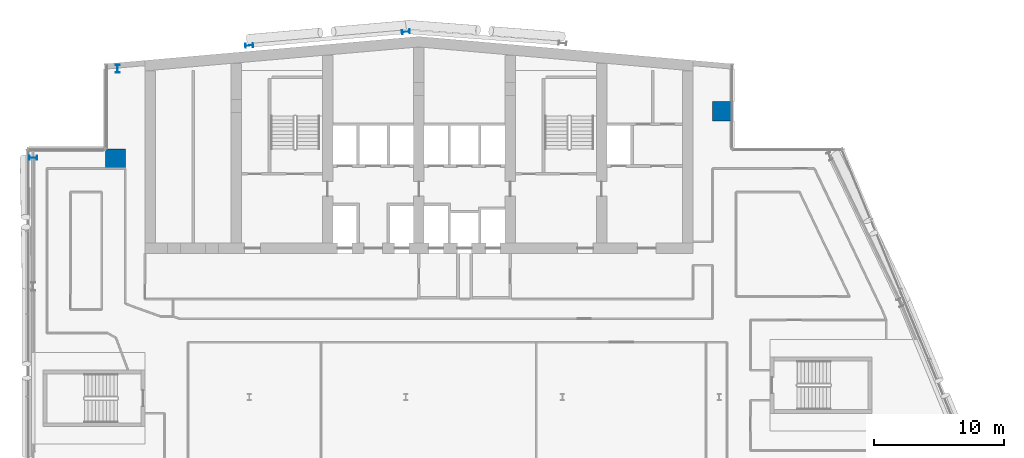
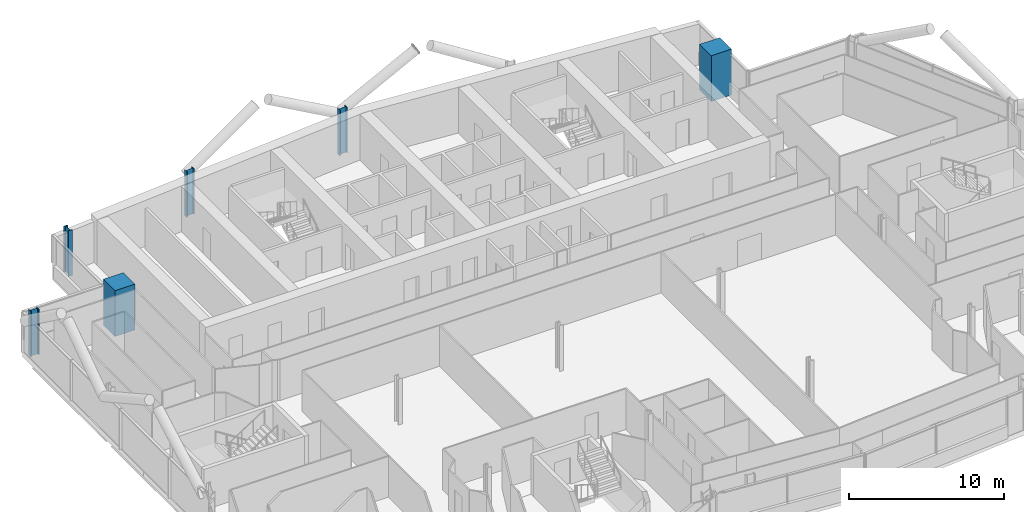
# One storey, part 3 of 27: 6 columns.
"""IFC4 building model written with IfcOpenShell, lengths in metres."""

from ifc_helpers import new_model, si_unit, direction, frame, origin, origin_2d, place, context, subcontext, project, spatial, rectangle, i_section, extrude, material, material_profile, profile_set, type_object, element, save


model = new_model("IFC4")

# Units and contexts
model_context = context("Model", 3, precision=1e-05, world=origin(), true_north=direction((0.0, 1.0)))
body_context = subcontext(model_context, "Body", "Model", "MODEL_VIEW")
ifc_project = project(units=[si_unit("LENGTHUNIT", "METRE"), si_unit("AREAUNIT", "SQUARE_METRE"), si_unit("VOLUMEUNIT", "CUBIC_METRE"), si_unit("PLANEANGLEUNIT", "RADIAN"), si_unit("MASSUNIT", "GRAM", prefix="KILO")], contexts=[model_context])

# Site, building, storey
site_placement = place(None, origin())
site = spatial("IfcSite", under=ifc_project, at=site_placement, CompositionType="ELEMENT")
building_placement = place(site_placement, origin())
building = spatial("IfcBuilding", under=site, at=building_placement, Name="Wharfspan Tower", CompositionType="ELEMENT")
storey_placement = place(building_placement, frame((0.0, 0.0, 191.5)))
storey = spatial("IfcBuildingStorey", under=building, at=storey_placement, Name="L47", CompositionType="ELEMENT", Elevation=191.5)

# Columns
ifc_material_1 = material(Name="Steel S355J2", Category="steel")
ifc_material_profile_1 = material_profile(ifc_material_1, i_section(OverallWidth=0.300049, OverallDepth=0.600098, WebThickness=0.015381, FlangeThickness=0.030029, FilletRadius=0.0271, at=origin_2d()))
ifc_profile_set_1 = profile_set([ifc_material_profile_1], Name="Steel S355J2")
column_type_1 = type_object("IfcColumnType", Name="Column HEB 600", PredefinedType="COLUMN", material=ifc_profile_set_1)
for number, where, z_axis, x_axis, name in (
    (1, (24.0, 49.937256, 0.0), (0.0, 0.0, 1.0), (-0.087156, 0.996198, 0.0), "Rear column R.1 L47"),
    (2, (36.0, 50.987061, 0.0), (0.0, 0.0, 1.0), (-0.087156, 0.996198, 0.0), "Rear column R.2 L47"),
):
    element("IfcColumn", number, at=place(storey_placement, frame(where, z_axis=z_axis, x_axis=x_axis)), inside=storey, type_object=column_type_1, Name=name, PredefinedType="COLUMN", context=body_context, shape_type="SweptSolid", body=[
        extrude(i_section(OverallWidth=0.300049, OverallDepth=0.600098, WebThickness=0.015381, FlangeThickness=0.030029, FilletRadius=0.0271, at=origin_2d()), origin(), (0.0, 0.0, 1.0), 3.600098),
    ])
ifc_material_profile_2 = material_profile(ifc_material_1, i_section(OverallWidth=0.304932, OverallDepth=0.620117, WebThickness=0.020996, FlangeThickness=0.040039, FilletRadius=0.0271, at=origin_2d()))
ifc_profile_set_2 = profile_set([ifc_material_profile_2], Name="Steel S355J2")
column_type_2 = type_object("IfcColumnType", Name="Column HEM 600", PredefinedType="COLUMN", material=ifc_profile_set_2)
for number, where, z_axis, x_axis, name in (
    (3, (13.911133, 48.141113, 0.0), (0.0, 0.0, 1.0), (-1.0, 0.0, 0.0), "Perimeter column PNRW-V.1 L47"),
    (4, (7.450439, 41.333008, 0.0), (0.0, 0.0, 1.0), (0.0, 1.0, 0.0), "Perimeter column PNRW-H.1 L47"),
):
    element("IfcColumn", number, at=place(storey_placement, frame(where, z_axis=z_axis, x_axis=x_axis)), inside=storey, type_object=column_type_2, Name=name, PredefinedType="COLUMN", context=body_context, shape_type="SweptSolid", body=[
        extrude(i_section(OverallWidth=0.304932, OverallDepth=0.620117, WebThickness=0.020996, FlangeThickness=0.040039, FilletRadius=0.0271, at=origin_2d()), origin(), (0.0, 0.0, 1.0), 3.600098),
    ])
ifc_material_2 = material(Name="Concrete C60/75", Category="concrete")
ifc_material_profile_3 = material_profile(ifc_material_2, rectangle(XDim=1.5, YDim=1.5, at=origin_2d()))
ifc_profile_set_3 = profile_set([ifc_material_profile_3], Name="Concrete C60/75")
column_type_3 = type_object("IfcColumnType", Name="Mega column 1500 C60/75", PredefinedType="COLUMN", material=ifc_profile_set_3)
for number, where, z_axis, x_axis, name in (
    (5, (13.75, 41.25, 0.0), (0.0, 0.0, 1.0), (1.0, 0.0, 0.0), "Mega column MC2 L47"),
    (6, (60.25, 44.899902, 0.0), (0.0, 0.0, 1.0), (1.0, 0.0, 0.0), "Mega column MC3 L47"),
):
    element("IfcColumn", number, at=place(storey_placement, frame(where, z_axis=z_axis, x_axis=x_axis)), inside=storey, type_object=column_type_3, Name=name, PredefinedType="COLUMN", context=body_context, shape_type="SweptSolid", body=[
        extrude(rectangle(XDim=1.5, YDim=1.5, at=origin_2d()), origin(), (0.0, 0.0, 1.0), 3.600098),
    ])

save(model, "model.ifc")
